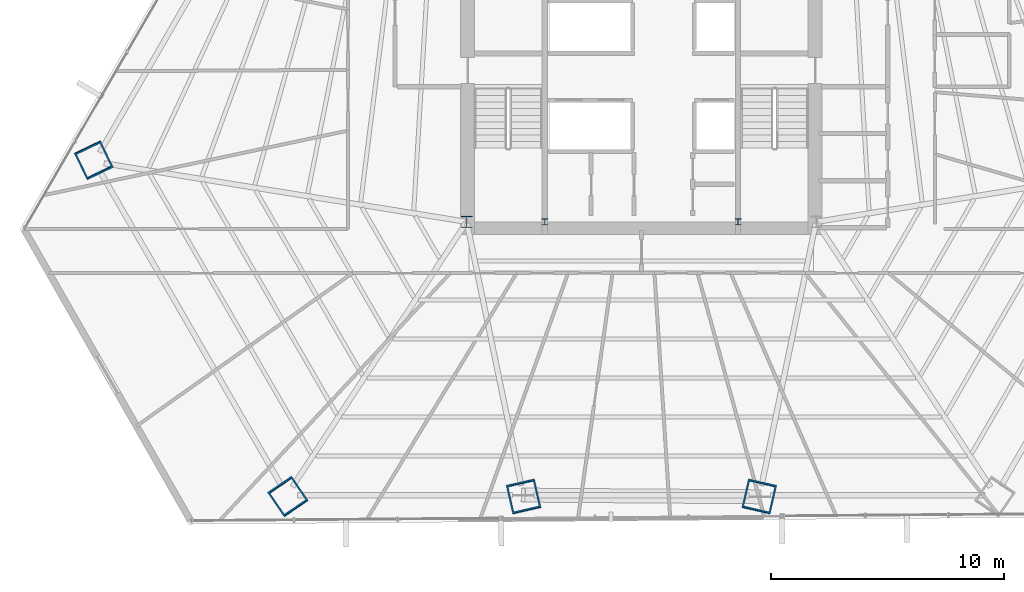
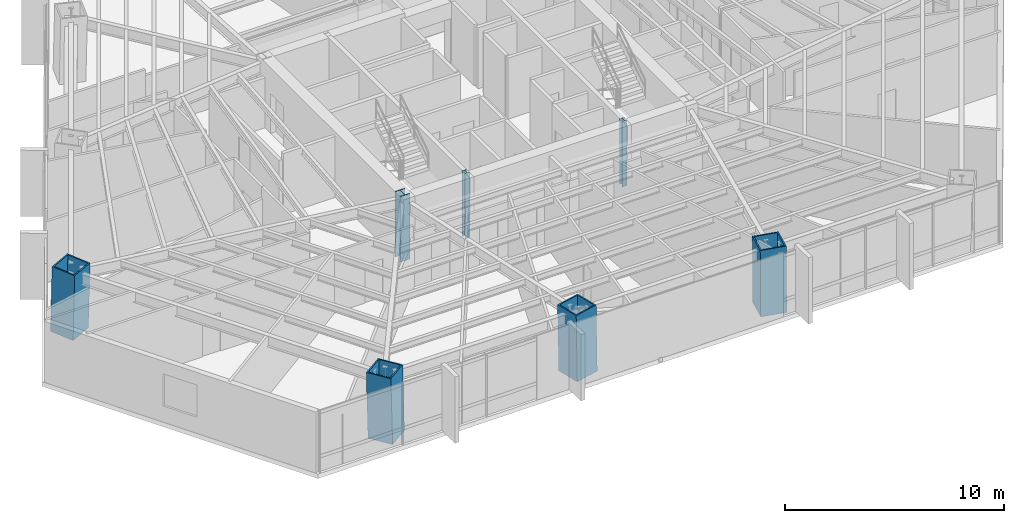
# One storey, part 1 of 38: 7 columns.
"""IFC4 building model written with IfcOpenShell, lengths in metres."""

from ifc_helpers import new_model, si_unit, direction, frame, origin, origin_2d, place, context, subcontext, project, spatial, hollow_rectangle, i_section, extrude, source, transform, mapped, material, material_profile, profile_set, type_object, type_shapes, element, save


model = new_model("IFC4")

# Units and contexts
model_context = context("Model", 3, precision=1e-05, world=origin(), true_north=direction((0.0, 1.0)))
body_context = subcontext(model_context, "Body", "Model", "MODEL_VIEW")
ifc_project = project(units=[si_unit("LENGTHUNIT", "METRE"), si_unit("AREAUNIT", "SQUARE_METRE"), si_unit("VOLUMEUNIT", "CUBIC_METRE"), si_unit("PLANEANGLEUNIT", "RADIAN"), si_unit("MASSUNIT", "GRAM", prefix="KILO")], contexts=[model_context])

# Site, building, storey
site_placement = place(None, origin())
site = spatial("IfcSite", under=ifc_project, at=site_placement, CompositionType="ELEMENT")
building_placement = place(site_placement, origin())
building = spatial("IfcBuilding", under=site, at=building_placement, Name="Caelisora Broadcast Tower", CompositionType="ELEMENT")
storey_placement = place(building_placement, frame((0.0, 0.0, 67.75)))
storey = spatial("IfcBuildingStorey", under=building, at=storey_placement, Name="L17", CompositionType="ELEMENT", Elevation=67.75)

# Columns
ifc_material_1 = material(Name="Steel Grade 350 (AS/NZS 3679.2)", Category="steel")
ifc_material_profile_1 = material_profile(ifc_material_1, i_section(OverallWidth=0.5, OverallDepth=0.5, WebThickness=0.028076171875, FlangeThickness=0.0400390625, at=origin_2d()), Name="Steel Grade 350 (AS/NZS 3679.2)")
ifc_profile_set_1 = profile_set([ifc_material_profile_1], Name="Steel Grade 350 (AS/NZS 3679.2)")
column_type_1 = type_object("IfcColumnType", Name="CC01", PredefinedType="COLUMN", material=ifc_profile_set_1)
shared_shape_1 = source(origin(), body_context, "Body", "SweptSolid", [
    extrude(i_section(OverallWidth=0.5, OverallDepth=0.5, WebThickness=0.028076171875, FlangeThickness=0.0400390625, at=origin_2d()), origin(), (0.0, 0.0, 1.0), 3.64990234375),
])
type_shapes(column_type_1, [shared_shape_1])
column_placement = place(storey_placement, frame((30.5, 17.39990234375, 0.0), z_axis=(0.0, 0.0, 1.0), x_axis=(1.0, 0.0, 0.0)))
element("IfcColumn", 1, at=column_placement, inside=storey, type_object=column_type_1, Name="L17 column CC01", PredefinedType="COLUMN", context=body_context, shape_type="MappedRepresentation", body=[
    mapped(shared_shape_1, transform((0.0, 0.0, 0.0), scale=1.0)),
])
ifc_material_2 = material(Name="Steel Grade 350 L15 (AS/NZS 3678)", Category="steel")
ifc_material_profile_2 = material_profile(ifc_material_2, hollow_rectangle(XDim=1.25, YDim=1.25, WallThickness=0.070068359375, at=origin_2d()), Name="Steel Grade 350 L15 (AS/NZS 3678)")
ifc_profile_set_2 = profile_set([ifc_material_profile_2], Name="Steel Grade 350 L15 (AS/NZS 3678)")
column_type_2 = type_object("IfcColumnType", Name="MC02", PredefinedType="COLUMN", material=ifc_profile_set_2)
shared_shape_2 = source(origin(), body_context, "Body", "SweptSolid", [
    extrude(hollow_rectangle(XDim=1.25, YDim=1.25, WallThickness=0.070068359375, at=origin_2d()), origin(), (0.0, 0.0, 1.0), 3.65087890625),
])
for number, where, z_axis, x_axis, name in (
    (2, (14.474609375, 20.06201171875, 0.0), (0.010364932146, -0.021532310652, 0.999714423113), (0.901042175273, 0.433731481886, 0.0), "L17 column MC02"),
    (3, (22.826904296875, 5.59521484375, 0.0), (-0.013507825582, 0.019793645407, 0.999712833893), (-0.825991119814, -0.563683129062, 0.0), "L17 column MC02"),
):
    element("IfcColumn", number, at=place(storey_placement, frame(where, z_axis=z_axis, x_axis=x_axis)), inside=storey, type_object=column_type_2, Name=name, PredefinedType="COLUMN", context=body_context, shape_type="MappedRepresentation", body=[
        mapped(shared_shape_2, transform((0.0, 0.0, 0.0), scale=1.0)),
    ])
shared_shape_3 = source(origin(), body_context, "Body", "SweptSolid", [
    extrude(hollow_rectangle(XDim=1.25, YDim=1.25, WallThickness=0.070068359375, at=origin_2d()), origin(), (0.0, 0.0, 1.0), 3.650634765625),
])
type_shapes(column_type_2, [shared_shape_2, shared_shape_3])
for number, where, z_axis, x_axis, name in (
    (4, (32.9423828125, 5.59521484375, 0.0), (-0.004547556686, 0.019795246753, 0.99979371269), (-0.974612694662, -0.223897510936, 0.0), "L17 column MC02"),
    (5, (43.0576171875, 5.59521484375, 0.0), (0.004547556686, 0.019795246753, 0.99979371269), (-0.974612694662, 0.223897510936, 0.0), "L17 column MC02"),
):
    element("IfcColumn", number, at=place(storey_placement, frame(where, z_axis=z_axis, x_axis=x_axis)), inside=storey, type_object=column_type_2, Name=name, PredefinedType="COLUMN", context=body_context, shape_type="MappedRepresentation", body=[
        mapped(shared_shape_3, transform((0.0, 0.0, 0.0), scale=1.0)),
    ])
ifc_material_3 = material(Name="Steel Grade 350 (AS/NZS 3679.1)", Category="steel")
ifc_material_profile_3 = material_profile(ifc_material_3, i_section(OverallWidth=0.256103515625, OverallDepth=0.260009765625, WebThickness=0.010498046875, FlangeThickness=0.017333984375, at=origin_2d()), Name="Steel Grade 350 (AS/NZS 3679.1)")
ifc_profile_set_3 = profile_set([ifc_material_profile_3], Name="Steel Grade 350 (AS/NZS 3679.1)")
column_type_3 = type_object("IfcColumnType", Name="CC05", PredefinedType="COLUMN", material=ifc_profile_set_3)
shared_shape_4 = source(origin(), body_context, "Body", "SweptSolid", [
    extrude(i_section(OverallWidth=0.256103515625, OverallDepth=0.260009765625, WebThickness=0.010498046875, FlangeThickness=0.017333984375, at=origin_2d()), origin(), (0.0, 0.0, 1.0), 3.64990234375),
])
type_shapes(column_type_3, [shared_shape_4])
for number, where, z_axis, x_axis, name in (
    (6, (33.85009765625, 17.39990234375, 0.0), (0.0, 0.0, 1.0), (1.0, 0.0, 0.0), "L17 column CC05"),
    (7, (42.14990234375, 17.39990234375, 0.0), (0.0, 0.0, 1.0), (1.0, 0.0, 0.0), "L17 column CC05"),
):
    element("IfcColumn", number, at=place(storey_placement, frame(where, z_axis=z_axis, x_axis=x_axis)), inside=storey, type_object=column_type_3, Name=name, PredefinedType="COLUMN", context=body_context, shape_type="MappedRepresentation", body=[
        mapped(shared_shape_4, transform((0.0, 0.0, 0.0), scale=1.0)),
    ])

save(model, "model.ifc")
